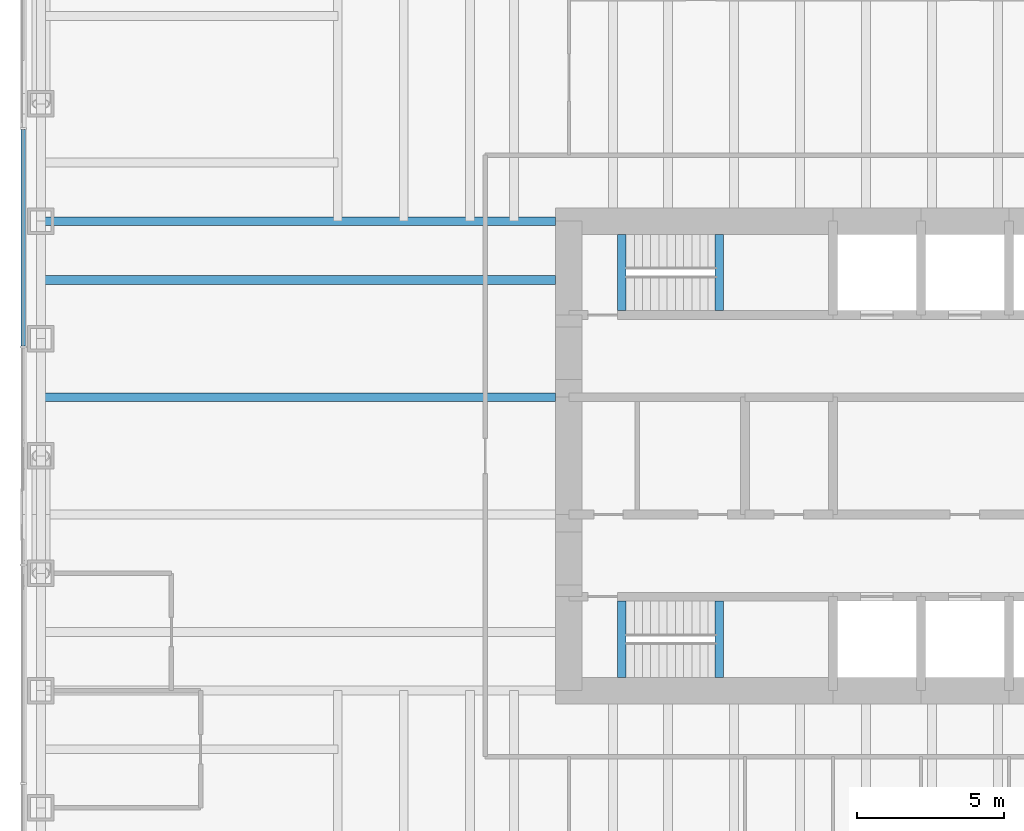
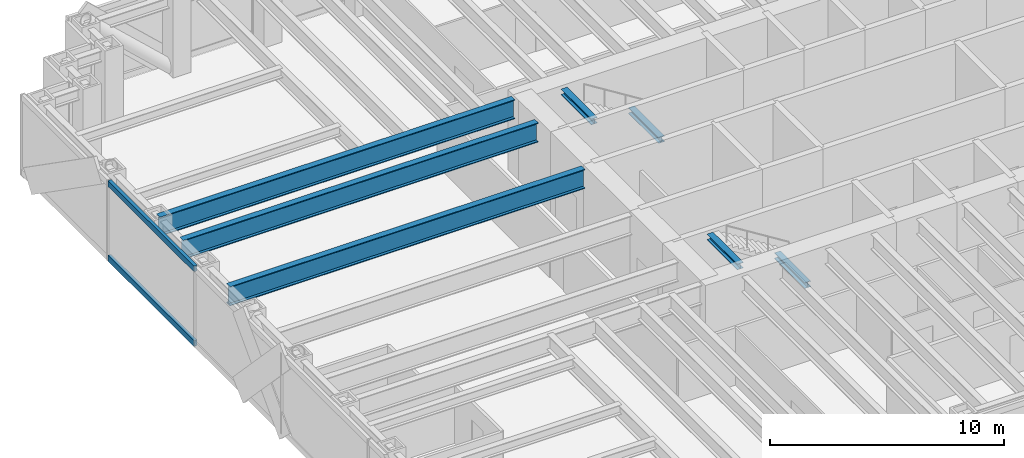
# One storey, part 3 of 17: 7 beams, 2 members, 1 element without a shape of its own.
"""IFC4 building model written with IfcOpenShell, lengths in metres."""

from ifc_helpers import new_model, si_unit, direction, frame, origin, origin_2d, place, context, subcontext, project, spatial, rectangle, i_section, extrude, material, material_profile, profile_set, type_object, element, aggregate, save


model = new_model("IFC4")

# Units and contexts
model_context = context("Model", 3, precision=1e-05, world=origin(), true_north=direction((0.0, 1.0)))
body_context = subcontext(model_context, "Body", "Model", "MODEL_VIEW")
ifc_project = project(units=[si_unit("LENGTHUNIT", "METRE"), si_unit("AREAUNIT", "SQUARE_METRE"), si_unit("VOLUMEUNIT", "CUBIC_METRE"), si_unit("PLANEANGLEUNIT", "RADIAN"), si_unit("MASSUNIT", "GRAM", prefix="KILO")], contexts=[model_context])

# Site, building, storey
site_placement = place(None, origin())
site = spatial("IfcSite", under=ifc_project, at=site_placement, CompositionType="ELEMENT")
building_placement = place(site_placement, origin())
building = spatial("IfcBuilding", under=site, at=building_placement, Name="Rheinbord Bourse Tower", CompositionType="ELEMENT")
storey_placement = place(building_placement, frame((0.0, 0.0, 121.5)))
storey = spatial("IfcBuildingStorey", under=building, at=storey_placement, Name="L26", CompositionType="ELEMENT", Elevation=121.5)

# Curtain wall, members
ifc_material_1 = material(Name="Dark glass and black aluminium", Category="aluminium")
curtain_wall_type = type_object("IfcCurtainWallType", Name="CW2 DARK GLASS CURTAIN WALL", PredefinedType="USERDEFINED", material=ifc_material_1)
curtain_wall_placement = place(storey_placement, origin())
curtain_wall = element("IfcCurtainWall", 1, at=curtain_wall_placement, inside=storey, type_object=curtain_wall_type, Name="Curtain wall CW2 W L26", ObjectType="UNITISED CURTAIN WALL", PredefinedType="USERDEFINED")
ifc_material_2 = material(Name="Black anodised aluminium", Category="aluminium")
ifc_material_profile_1 = material_profile(ifc_material_2, rectangle(XDim=0.159912109375, YDim=0.300048828125, at=origin_2d()), Name="CW2 TRANSOM 300x160")
ifc_profile_set_1 = profile_set([ifc_material_profile_1], Name="Black anodised aluminium")
member_type = type_object("IfcMemberType", Name="CW2 BLACK TRANSOM", PredefinedType="USERDEFINED", material=ifc_profile_set_1)
member_1_placement = place(storey_placement, frame((-0.60009765625, 35.125, 0.14990234375), z_axis=(0.0, -1.0, 0.0), x_axis=(1.0, 0.0, 0.0)))
member_1 = element("IfcMember", 2, at=member_1_placement, type_object=member_type, Name="CW2 transom 2.1", ObjectType="TRANSOM", PredefinedType="USERDEFINED", context=body_context, shape_type="SweptSolid", body=[
    extrude(rectangle(XDim=0.159912109375, YDim=0.300048828125, at=origin_2d()), origin(), (0.0, 0.0, 1.0), 7.3701171875),
])
member_2_placement = place(storey_placement, frame((-0.60009765625, 35.125, 4.050048828125), z_axis=(0.0, -1.0, 0.0), x_axis=(1.0, 0.0, 0.0)))
member_2 = element("IfcMember", 3, at=member_2_placement, type_object=member_type, Name="CW2 transom 2.2", ObjectType="TRANSOM", PredefinedType="USERDEFINED", context=body_context, shape_type="SweptSolid", body=[
    extrude(rectangle(XDim=0.159912109375, YDim=0.300048828125, at=origin_2d()), origin(), (0.0, 0.0, 1.0), 7.3701171875),
])
aggregate(curtain_wall, [member_1, member_2])

# Beams
ifc_material_3 = material(Name="Steel S460", Category="steel")
ifc_material_profile_2 = material_profile(ifc_material_3, i_section(OverallWidth=0.302001953125, OverallDepth=1.008056640625, WebThickness=0.02099609375, FlangeThickness=0.0400390625, at=origin_2d()), Name="HEM 1000")
ifc_profile_set_2 = profile_set([ifc_material_profile_2], Name="Steel S460")
beam_type_1 = type_object("IfcBeamType", Name="END BEAM HEM 1000", PredefinedType="BEAM", material=ifc_profile_set_2)
for number, where, z_axis, x_axis, name in (
    (4, (0.0, 26.0, 3.535888671875), (1.0, 0.0, 0.0), (0.0, 1.0, 0.0), "End beam west 26 L27"),
    (5, (0.0, 30.0, 3.535888671875), (1.0, 0.0, 0.0), (0.0, 1.0, 0.0), "End beam west 30 L27"),
):
    element("IfcBeam", number, at=place(storey_placement, frame(where, z_axis=z_axis, x_axis=x_axis)), inside=storey, type_object=beam_type_1, Name=name, PredefinedType="BEAM", context=body_context, shape_type="SweptSolid", body=[
        extrude(i_section(OverallWidth=0.302001953125, OverallDepth=1.008056640625, WebThickness=0.02099609375, FlangeThickness=0.0400390625, at=origin_2d()), origin(), (0.0, 0.0, 1.0), 17.550048828125),
    ])
ifc_material_4 = material(Name="Steel S460", Category="steel")
ifc_material_profile_3 = material_profile(ifc_material_4, i_section(OverallWidth=0.302001953125, OverallDepth=1.008056640625, WebThickness=0.02099609375, FlangeThickness=0.0400390625, at=origin_2d()), Name="HEM 1000")
ifc_profile_set_3 = profile_set([ifc_material_profile_3], Name="Steel S460")
beam_type_2 = type_object("IfcBeamType", Name="GIRDER HEM 1000", PredefinedType="BEAM", material=ifc_profile_set_3)
beam_placement = place(storey_placement, frame((0.0, 32.0, 3.535888671875), z_axis=(1.0, 0.0, 0.0), x_axis=(0.0, 1.0, 0.0)))
element("IfcBeam", 6, at=beam_placement, inside=storey, type_object=beam_type_2, Name="Girder west 32 L27", PredefinedType="BEAM", context=body_context, shape_type="SweptSolid", body=[
    extrude(i_section(OverallWidth=0.302001953125, OverallDepth=1.008056640625, WebThickness=0.02099609375, FlangeThickness=0.0400390625, at=origin_2d()), origin(), (0.0, 0.0, 1.0), 17.550048828125),
])
ifc_material_5 = material(Name="Steel S460", Category="steel")
ifc_material_profile_4 = material_profile(ifc_material_5, i_section(OverallWidth=0.300048828125, OverallDepth=0.300048828125, WebThickness=0.010986328125, FlangeThickness=0.01904296875, at=origin_2d()), Name="HEB 300")
ifc_profile_set_4 = profile_set([ifc_material_profile_4], Name="Steel S460")
beam_type_3 = type_object("IfcBeamType", Name="LANDING TRIMMER HEB 300", PredefinedType="BEAM", material=ifc_profile_set_4)
for number, where, z_axis, x_axis, name in (
    (7, (23.1298828125, 16.449951171875, 1.75), (0.0, 1.0, 0.0), (-1.0, 0.0, 0.0), "Landing trimmer ST1 L26"),
    (8, (19.800048828125, 16.449951171875, 3.889892578125), (0.0, 1.0, 0.0), (-1.0, 0.0, 0.0), "Well trimmer ST1 under L27"),
    (9, (23.1298828125, 28.949951171875, 1.75), (0.0, 1.0, 0.0), (-1.0, 0.0, 0.0), "Landing trimmer ST2 L26"),
    (10, (19.800048828125, 28.949951171875, 3.889892578125), (0.0, 1.0, 0.0), (-1.0, 0.0, 0.0), "Well trimmer ST2 under L27"),
):
    element("IfcBeam", number, at=place(storey_placement, frame(where, z_axis=z_axis, x_axis=x_axis)), inside=storey, type_object=beam_type_3, Name=name, PredefinedType="BEAM", context=body_context, shape_type="SweptSolid", body=[
        extrude(i_section(OverallWidth=0.300048828125, OverallDepth=0.300048828125, WebThickness=0.010986328125, FlangeThickness=0.01904296875, at=origin_2d()), origin(), (0.0, 0.0, 1.0), 2.60009765625),
    ])

save(model, "model.ifc")
